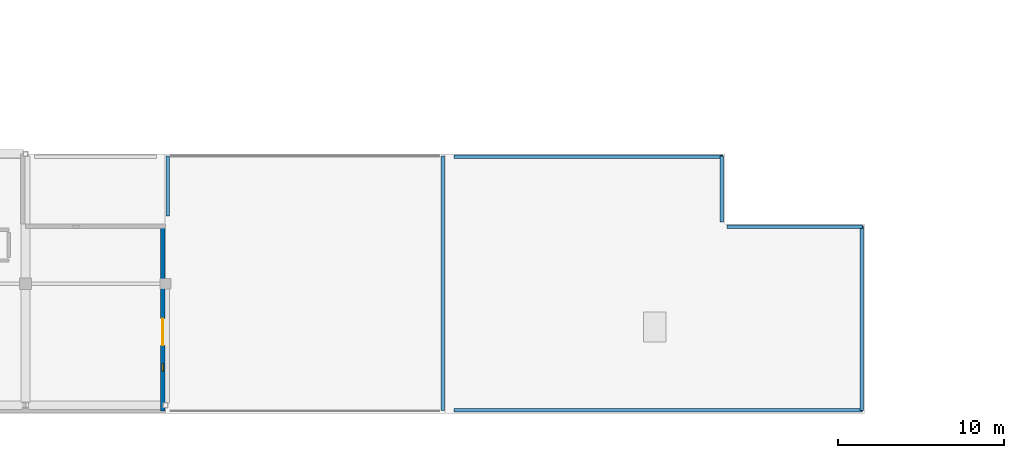
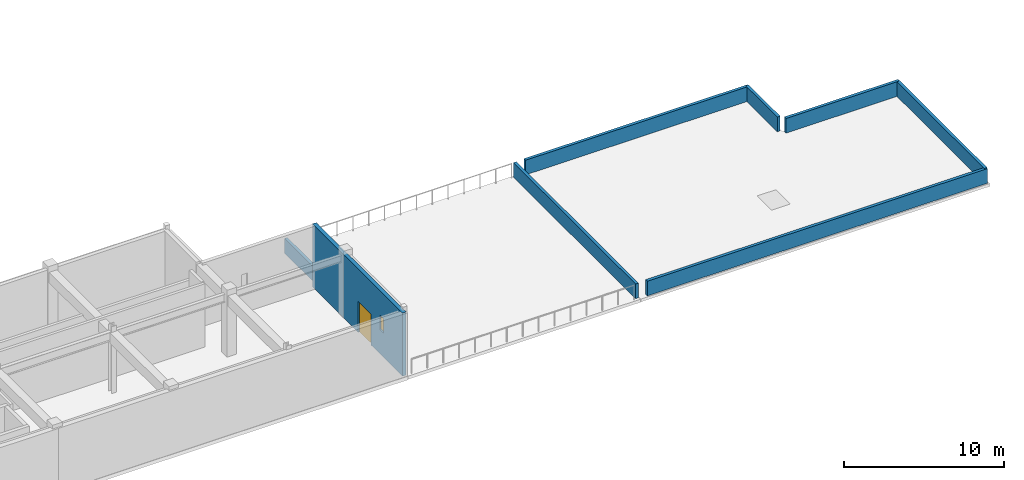
# One storey, part 61 of 78: 8 walls, 1 door, 1 window, 2 openings.
"""IFC4 building model written with IfcOpenShell, lengths in metres."""

from ifc_helpers import new_model, si_unit, direction, frame, frame_2d, origin, place, context, subcontext, project, spatial, rectangle, extrude, material, layer, layer_set, type_object, element, fill, save


model = new_model("IFC4")

# Units and contexts
model_context = context("Model", 3, precision=1e-05, world=origin(), true_north=direction((0.0, 1.0)))
body_context = subcontext(model_context, "Body", "Model", "MODEL_VIEW")
ifc_project = project(units=[si_unit("LENGTHUNIT", "METRE"), si_unit("AREAUNIT", "SQUARE_METRE"), si_unit("VOLUMEUNIT", "CUBIC_METRE"), si_unit("PLANEANGLEUNIT", "RADIAN"), si_unit("MASSUNIT", "GRAM", prefix="KILO")], contexts=[model_context])

# Site, building, storey
site_placement = place(None, origin())
site = spatial("IfcSite", under=ifc_project, at=site_placement, CompositionType="ELEMENT")
building_placement = place(site_placement, origin())
building = spatial("IfcBuilding", under=site, at=building_placement, Name="Quendrovan Civic Courthouse", CompositionType="ELEMENT")
storey_placement = place(building_placement, frame((0.0, 0.0, 10.199951171875)))
storey = spatial("IfcBuildingStorey", under=building, at=storey_placement, Name="L03", CompositionType="ELEMENT", Elevation=10.199951171875)

# Wall, openings, door, window
ifc_material_1 = material(Name="Concrete C40/50", Category="concrete")
ifc_layer_1 = layer(ifc_material_1, 0.27001953125, Name="Concrete C40/50")
ifc_layer_set_1 = layer_set([ifc_layer_1], Name="Concrete C40/50")
wall_type_1 = type_object("IfcWallType", Name="WL-EXT-RC270", PredefinedType="SOLIDWALL", material=ifc_layer_set_1)
wall_1_placement = place(storey_placement, frame((67.044921875, 11.39990234375, 0.0), z_axis=(0.0, 0.0, 1.0), x_axis=(0.0, -1.0, 0.0)))
wall_1 = element("IfcWall", 1, at=wall_1_placement, inside=storey, type_object=wall_type_1, Name="L03 Exterior Precast Concrete Wall 280", PredefinedType="SOLIDWALL", context=body_context, shape_type="SweptSolid", body=[
    extrude(rectangle(XDim=11.23486328125, YDim=0.27001953125, at=frame_2d((5.617431640625, 0.0))), origin(), (0.0, 0.0, 1.0), 4.820068359375),
])
opening_1_placement = place(wall_1_placement, frame((5.7021484375, 0.0, 0.0)))
opening_1 = element("IfcOpeningElement", 2, at=opening_1_placement, cuts=wall_1, Name="Opening DT-L03-1", PredefinedType="OPENING", context=body_context, shape_type="SweptSolid", body=[
    extrude(rectangle(XDim=1.60009765625, YDim=2.35009765625, at=frame_2d((0.800048828125, 1.175048828125))), frame((0.0, 0.14501953125, 0.0), z_axis=(0.0, -1.0, 0.0), x_axis=(1.0, 0.0, 0.0)), (0.0, 0.0, 1.0), 0.2900390625),
])
opening_2_placement = place(wall_1_placement, frame((8.39990234375, 0.0, 1.85009765625)))
opening_2 = element("IfcOpeningElement", 3, at=opening_2_placement, cuts=wall_1, Name="Opening WS01", PredefinedType="OPENING", context=body_context, shape_type="SweptSolid", body=[
    extrude(rectangle(XDim=0.449951171875, YDim=1.10009765625, at=frame_2d((0.22509765625, 0.550048828125))), frame((0.0, 0.14501953125, 0.0), z_axis=(0.0, -1.0, 0.0), x_axis=(1.0, 0.0, 0.0)), (0.0, 0.0, 1.0), 0.2900390625),
])
ifc_material_2 = material(Name="Bronze anodised aluminium and low-E glass", Category="aluminium")
door_type = type_object("IfcDoorType", Name="DR-TER-1600", OperationType="NOTDEFINED", PredefinedType="DOOR", material=ifc_material_2)
door_placement = place(opening_1_placement, origin())
door = element("IfcDoor", 4, at=door_placement, inside=storey, type_object=door_type, Name="L03 Judicial Terrace Door DT-L03-1", OperationType="SINGLE_SWING_LEFT", OverallHeight=2.35009765625, OverallWidth=1.60009765625, PredefinedType="DOOR", context=body_context, shape_type="SweptSolid", body=[
    extrude(rectangle(XDim=1.60009765625, YDim=2.35009765625, at=frame_2d((0.800048828125, 1.175048828125))), frame((0.0, 0.02490234375, 0.0), z_axis=(0.0, -1.0, 0.0), x_axis=(1.0, 0.0, 0.0)), (0.0, 0.0, 1.0), 0.050048828125),
])
fill(opening_1, door)
ifc_material_3 = material(Name="Polycarbonate laminated security glass", Category="glass")
window_type = type_object("IfcWindowType", Name="WIN-SEC-SLOT", PartitioningType="SINGLE_PANEL", PredefinedType="WINDOW", material=ifc_material_3)
window_placement = place(opening_2_placement, origin())
window = element("IfcWindow", 5, at=window_placement, inside=storey, type_object=window_type, Name="L03 Custody High-Sill Security Window 0014", OverallHeight=1.10009765625, OverallWidth=0.449951171875, PartitioningType="SINGLE_PANEL", PredefinedType="WINDOW", context=body_context, shape_type="SweptSolid", body=[
    extrude(rectangle(XDim=0.449951171875, YDim=1.10009765625, at=frame_2d((0.22509765625, 0.550048828125))), frame((0.0, 0.030029296875, 0.0), z_axis=(0.0, -1.0, 0.0), x_axis=(1.0, 0.0, 0.0)), (0.0, 0.0, 1.0), 0.06005859375),
])
fill(opening_2, window)

# Walls
ifc_material_4 = material(Name="Precast concrete C45/55", Category="concrete")
ifc_layer_2 = layer(ifc_material_4, 0.2099609375, Name="Precast concrete C45/55")
ifc_layer_set_2 = layer_set([ifc_layer_2], Name="Precast concrete C45/55")
wall_type_2 = type_object("IfcWallType", Name="WL-PARAPET-210", PredefinedType="PARAPET", material=ifc_layer_set_2)
wall_2_placement = place(storey_placement, frame((83.860107421875, 0.199951171875, 0.0), z_axis=(0.0, 0.0, 1.0), x_axis=(0.0, 1.0, 0.0)))
element("IfcWall", 6, at=wall_2_placement, inside=storey, type_object=wall_type_2, Name="L03 Terrace-to-Roof Dividing Parapet Wall 01", PredefinedType="PARAPET", context=body_context, shape_type="SweptSolid", body=[
    extrude(rectangle(XDim=15.27001953125, YDim=0.2099609375, at=frame_2d((7.635009765625, 0.0))), origin(), (0.0, 0.0, 1.0), 1.1201171875),
])
wall_3_placement = place(storey_placement, frame((67.340087890625, 15.469970703125, 0.0), z_axis=(0.0, 0.0, 1.0), x_axis=(0.0, -1.0, 0.0)))
element("IfcWall", 7, at=wall_3_placement, inside=storey, type_object=wall_type_2, Name="L03 Terrace-to-Roof Dividing Parapet Wall 02", PredefinedType="PARAPET", context=body_context, shape_type="SweptSolid", body=[
    extrude(rectangle(XDim=3.590087890625, YDim=0.2099609375, at=frame_2d((1.794921875, 0.0))), origin(), (0.0, 0.0, 1.0), 1.1201171875),
])
wall_4_placement = place(storey_placement, frame((100.6201171875, 15.47998046875, 0.0), z_axis=(0.0, 0.0, 1.0), x_axis=(0.0, -1.0, 0.0)))
element("IfcWall", 8, at=wall_4_placement, inside=storey, type_object=wall_type_2, Name="L03 Precast Roof Parapet Wall 22", PredefinedType="PARAPET", context=body_context, shape_type="SweptSolid", body=[
    extrude(rectangle(XDim=3.9599609375, YDim=0.2099609375, at=frame_2d((1.97998046875, 0.0))), origin(), (0.0, 0.0, 1.0), 1.1201171875),
])
wall_5_placement = place(storey_placement, frame((100.919921875, 11.219970703125, 0.0), z_axis=(0.0, 0.0, 1.0), x_axis=(1.0, 0.0, 0.0)))
element("IfcWall", 9, at=wall_5_placement, inside=storey, type_object=wall_type_2, Name="L03 Precast Roof Parapet Wall 23", PredefinedType="PARAPET", context=body_context, shape_type="SweptSolid", body=[
    extrude(rectangle(XDim=8.16015625, YDim=0.2099609375, at=frame_2d((4.080078125, 0.0))), origin(), (0.0, 0.0, 1.0), 1.1201171875),
])
wall_6_placement = place(storey_placement, frame((109.02001953125, 11.280029296875, 0.0), z_axis=(0.0, 0.0, 1.0), x_axis=(0.0, -1.0, 0.0)))
element("IfcWall", 10, at=wall_6_placement, inside=storey, type_object=wall_type_2, Name="L03 Precast Roof Parapet Wall 24", PredefinedType="PARAPET", context=body_context, shape_type="SweptSolid", body=[
    extrude(rectangle(XDim=11.080078125, YDim=0.2099609375, at=frame_2d((5.5400390625, 0.0))), origin(), (0.0, 0.0, 1.0), 1.1201171875),
])
wall_7_placement = place(storey_placement, frame((109.080078125, 0.199951171875, 0.0), z_axis=(0.0, 0.0, 1.0), x_axis=(-1.0, 0.0, 0.0)))
element("IfcWall", 11, at=wall_7_placement, inside=storey, type_object=wall_type_2, Name="L03 Precast Roof Parapet Wall 25", PredefinedType="PARAPET", context=body_context, shape_type="SweptSolid", body=[
    extrude(rectangle(XDim=24.5400390625, YDim=0.2099609375, at=frame_2d((12.27001953125, 0.0))), origin(), (0.0, 0.0, 1.0), 1.1201171875),
])
wall_8_placement = place(storey_placement, frame((84.5400390625, 15.419921875, 0.0), z_axis=(0.0, 0.0, 1.0), x_axis=(1.0, 0.0, 0.0)))
element("IfcWall", 12, at=wall_8_placement, inside=storey, type_object=wall_type_2, Name="L03 Precast Roof Parapet Wall 26", PredefinedType="PARAPET", context=body_context, shape_type="SweptSolid", body=[
    extrude(rectangle(XDim=16.139892578125, YDim=0.2099609375, at=frame_2d((8.06982421875, 0.0))), origin(), (0.0, 0.0, 1.0), 1.1201171875),
])

save(model, "model.ifc")
